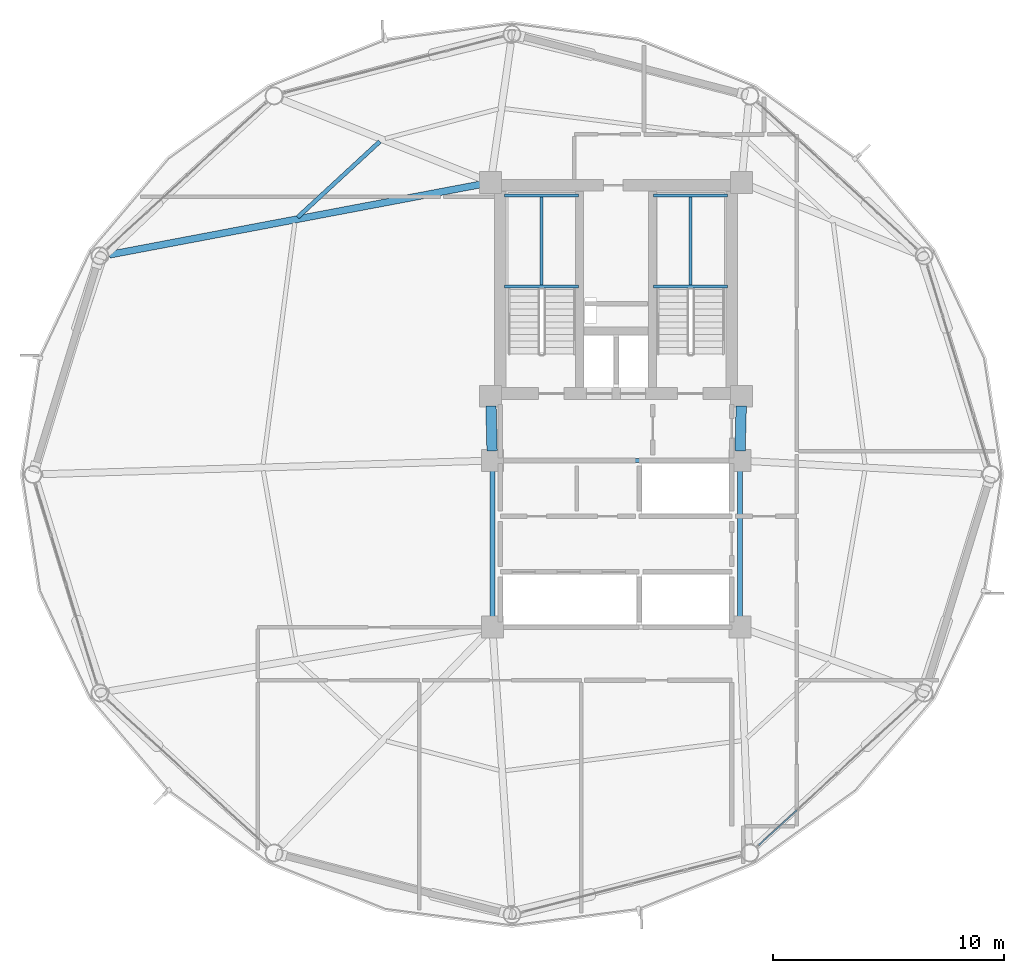
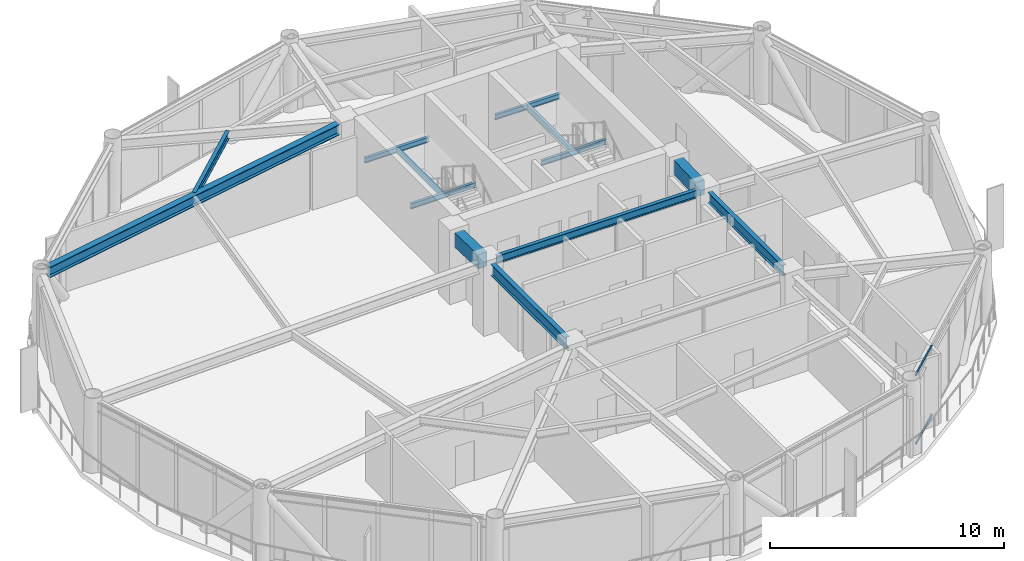
# One storey, part 12 of 26: 13 beams, 2 members, 1 element without a shape of its own.
"""IFC4 building model written with IfcOpenShell, lengths in metres."""

from ifc_helpers import new_model, si_unit, direction, frame, origin, origin_2d, place, context, subcontext, project, spatial, rectangle, hollow_rectangle, i_section, extrude, material, layer, layer_set, material_profile, profile_set, type_object, element, aggregate, save


model = new_model("IFC4")

# Units and contexts
model_context = context("Model", 3, precision=1e-05, world=origin(), true_north=direction((0.0, 1.0)))
body_context = subcontext(model_context, "Body", "Model", "MODEL_VIEW")
ifc_project = project(units=[si_unit("LENGTHUNIT", "METRE"), si_unit("AREAUNIT", "SQUARE_METRE"), si_unit("VOLUMEUNIT", "CUBIC_METRE"), si_unit("PLANEANGLEUNIT", "RADIAN"), si_unit("MASSUNIT", "GRAM", prefix="KILO")], contexts=[model_context])

# Site, building, storey
site_placement = place(None, origin())
site = spatial("IfcSite", under=ifc_project, at=site_placement, CompositionType="ELEMENT")
building_placement = place(site_placement, origin())
building = spatial("IfcBuilding", under=site, at=building_placement, Name="Varnakorn Sky Granary", CompositionType="ELEMENT")
storey_placement = place(building_placement, frame((0.0, 0.0, 153.89990234375)))
storey = spatial("IfcBuildingStorey", under=building, at=storey_placement, Name="L38", CompositionType="ELEMENT", Elevation=153.89990234375)

# Beams
ifc_material_1 = material(Name="Steel S355JR", Category="steel")
ifc_material_profile_1 = material_profile(ifc_material_1, i_section(OverallWidth=0.2099609375, OverallDepth=0.550048828125, WebThickness=0.010986328125, FlangeThickness=0.01708984375, at=origin_2d()), Name="IPE 550")
ifc_profile_set_1 = profile_set([ifc_material_profile_1], Name="Steel S355JR")
beam_type_1 = type_object("IfcBeamType", Name="BM-JST-550", PredefinedType="JOIST", material=ifc_profile_set_1)
beam_1_placement = place(storey_placement, frame((8.35009765625, 0.179931640625, 3.364990234375), z_axis=(0.0, -1.0, 0.0), x_axis=(1.0, 0.0, 0.0)))
element("IfcBeam", 1, at=beam_1_placement, inside=storey, type_object=beam_type_1, Name="Core Spine Framing Beam 4 L38", PredefinedType="JOIST", context=body_context, shape_type="SweptSolid", body=[
    extrude(i_section(OverallWidth=0.2099609375, OverallDepth=0.550048828125, WebThickness=0.010986328125, FlangeThickness=0.01708984375, at=origin_2d()), origin(), (0.0, 0.0, 1.0), 6.35986328125),
])
ifc_material_profile_2 = material_profile(ifc_material_1, i_section(OverallWidth=0.219970703125, OverallDepth=0.60009765625, WebThickness=0.011962890625, FlangeThickness=0.01904296875, at=origin_2d()), Name="IPE 600")
ifc_profile_set_2 = profile_set([ifc_material_profile_2], Name="Steel S355JR")
beam_type_2 = type_object("IfcBeamType", Name="BM-JST-600", PredefinedType="JOIST", material=ifc_profile_set_2)
beam_2_placement = place(storey_placement, frame((-2.35009765625, 0.179931640625, 3.340087890625), z_axis=(0.0, -1.0, 0.0), x_axis=(1.0, 0.0, 0.0)))
element("IfcBeam", 2, at=beam_2_placement, inside=storey, type_object=beam_type_2, Name="Core Spine Framing Beam 3 L38", PredefinedType="JOIST", context=body_context, shape_type="SweptSolid", body=[
    extrude(i_section(OverallWidth=0.219970703125, OverallDepth=0.60009765625, WebThickness=0.011962890625, FlangeThickness=0.01904296875, at=origin_2d()), origin(), (0.0, 0.0, 1.0), 6.35986328125),
])
ifc_material_2 = material(Name="Concrete C60/75", Category="concrete")
ifc_material_profile_3 = material_profile(ifc_material_2, rectangle(XDim=0.449951171875, YDim=0.75, at=origin_2d()), Name="RC 450x750")
ifc_profile_set_3 = profile_set([ifc_material_profile_3], Name="Concrete C60/75")
beam_type_3 = type_object("IfcBeamType", Name="BM-LIN-750", PredefinedType="LINTEL", material=ifc_profile_set_3)
for number, where, z_axis, x_axis, name in (
    (3, (-2.409423828125, 2.960205078125, 3.26513671875), (0.025158763514, -0.999683468213, 0.0), (0.999683468213, 0.025158763514, 0.0), "Core Spine Framing Beam 1 L38"),
    (4, (8.409423828125, 2.960205078125, 3.26513671875), (-0.025158763514, -0.999683468213, 0.0), (0.999683468213, -0.025158763514, 0.0), "Core Spine Framing Beam 2 L38"),
):
    element("IfcBeam", number, at=place(storey_placement, frame(where, z_axis=z_axis, x_axis=x_axis)), inside=storey, type_object=beam_type_3, Name=name, PredefinedType="LINTEL", context=body_context, shape_type="SweptSolid", body=[
        extrude(rectangle(XDim=0.449951171875, YDim=0.75, at=origin_2d()), origin(), (0.0, 0.0, 1.0), 1.94091796875),
    ])
ifc_material_profile_4 = material_profile(ifc_material_1, i_section(OverallWidth=0.135009765625, OverallDepth=0.27001953125, WebThickness=0.006591796875, FlangeThickness=0.01025390625, at=origin_2d()), Name="IPE 270")
ifc_profile_set_4 = profile_set([ifc_material_profile_4], Name="Steel S355JR")
beam_type_4 = type_object("IfcBeamType", Name="BM-LND-270", PredefinedType="BEAM", material=ifc_profile_set_4)
for number, where, z_axis, x_axis, name in (
    (5, (-1.820068359375, 8.1201171875, 1.614990234375), (1.0, 0.0, 0.0), (0.0, 1.0, 0.0), "Stair ST-1 Landing Trimmer Beam A L38-1"),
    (6, (-1.820068359375, 12.06005859375, 1.614990234375), (1.0, 0.0, 0.0), (0.0, 1.0, 0.0), "Stair ST-1 Landing Trimmer Beam B L38-1"),
):
    element("IfcBeam", number, at=place(storey_placement, frame(where, z_axis=z_axis, x_axis=x_axis)), inside=storey, type_object=beam_type_4, Name=name, PredefinedType="BEAM", context=body_context, shape_type="SweptSolid", body=[
        extrude(i_section(OverallWidth=0.135009765625, OverallDepth=0.27001953125, WebThickness=0.006591796875, FlangeThickness=0.01025390625, at=origin_2d()), origin(), (0.0, 0.0, 1.0), 3.199951171875),
    ])
beam_3_placement = place(storey_placement, frame((-0.219970703125, 8.1201171875, 1.614990234375), z_axis=(0.0, 1.0, 0.0), x_axis=(-1.0, 0.0, 0.0)))
element("IfcBeam", 7, at=beam_3_placement, inside=storey, type_object=beam_type_4, Name="Stair ST-1 Landing Cross Beam C L38-1", PredefinedType="BEAM", context=body_context, shape_type="SweptSolid", body=[
    extrude(i_section(OverallWidth=0.135009765625, OverallDepth=0.27001953125, WebThickness=0.006591796875, FlangeThickness=0.01025390625, at=origin_2d()), origin(), (0.0, 0.0, 1.0), 3.93994140625),
])
for number, where, z_axis, x_axis, name in (
    (8, (4.6201171875, 8.1201171875, 1.614990234375), (1.0, 0.0, 0.0), (0.0, 1.0, 0.0), "Stair ST-2 Landing Trimmer Beam A L38-1"),
    (9, (4.6201171875, 12.06005859375, 1.614990234375), (1.0, 0.0, 0.0), (0.0, 1.0, 0.0), "Stair ST-2 Landing Trimmer Beam B L38-1"),
):
    element("IfcBeam", number, at=place(storey_placement, frame(where, z_axis=z_axis, x_axis=x_axis)), inside=storey, type_object=beam_type_4, Name=name, PredefinedType="BEAM", context=body_context, shape_type="SweptSolid", body=[
        extrude(i_section(OverallWidth=0.135009765625, OverallDepth=0.27001953125, WebThickness=0.006591796875, FlangeThickness=0.01025390625, at=origin_2d()), origin(), (0.0, 0.0, 1.0), 3.199951171875),
    ])
beam_4_placement = place(storey_placement, frame((6.219970703125, 8.1201171875, 1.614990234375), z_axis=(0.0, 1.0, 0.0), x_axis=(-1.0, 0.0, 0.0)))
element("IfcBeam", 10, at=beam_4_placement, inside=storey, type_object=beam_type_4, Name="Stair ST-2 Landing Cross Beam C L38-1", PredefinedType="BEAM", context=body_context, shape_type="SweptSolid", body=[
    extrude(i_section(OverallWidth=0.135009765625, OverallDepth=0.27001953125, WebThickness=0.006591796875, FlangeThickness=0.01025390625, at=origin_2d()), origin(), (0.0, 0.0, 1.0), 3.93994140625),
])
ifc_material_profile_5 = material_profile(ifc_material_1, i_section(OverallWidth=0.300048828125, OverallDepth=0.550048828125, WebThickness=0.014892578125, FlangeThickness=0.029052734375, at=origin_2d()), Name="HE 550 B")
ifc_profile_set_5 = profile_set([ifc_material_profile_5], Name="Steel S355JR")
beam_type_5 = type_object("IfcBeamType", Name="BM-RAD-Z3", PredefinedType="BEAM", material=ifc_profile_set_5)
beam_5_placement = place(storey_placement, frame((-2.832763671875, 12.541748046875, 3.364990234375), z_axis=(-0.982529926318, -0.186104658431, 0.0), x_axis=(0.186104658431, -0.982529926318, 0.0)))
element("IfcBeam", 11, at=beam_5_placement, inside=storey, type_object=beam_type_5, Name="Radial Floor Girder RG06 L38", PredefinedType="BEAM", context=body_context, shape_type="SweptSolid", body=[
    extrude(i_section(OverallWidth=0.300048828125, OverallDepth=0.550048828125, WebThickness=0.014892578125, FlangeThickness=0.029052734375, at=origin_2d()), origin(), (0.0, 0.0, 1.0), 16.360107421875),
])
ifc_material_profile_6 = material_profile(ifc_material_1, i_section(OverallWidth=0.179931640625, OverallDepth=0.39990234375, WebThickness=0.008544921875, FlangeThickness=0.013427734375, at=origin_2d()), Name="IPE 400")
ifc_profile_set_6 = profile_set([ifc_material_profile_6], Name="Steel S355JR")
beam_type_6 = type_object("IfcBeamType", Name="BM-SEC-Z3", PredefinedType="BEAM", material=ifc_profile_set_6)
beam_6_placement = place(storey_placement, frame((-7.216796875, 14.390869140625, 3.440185546875), z_axis=(-0.734865442806, -0.67821293188, 0.0), x_axis=(0.67821293188, -0.734865442806, 0.0)))
element("IfcBeam", 12, at=beam_6_placement, inside=storey, type_object=beam_type_6, Name="Secondary Floor Chord Beam MSB05 L38", PredefinedType="BEAM", context=body_context, shape_type="SweptSolid", body=[
    extrude(i_section(OverallWidth=0.179931640625, OverallDepth=0.39990234375, WebThickness=0.008544921875, FlangeThickness=0.013427734375, at=origin_2d()), origin(), (0.0, 0.0, 1.0), 4.830810546875),
])
beam_7_placement = place(storey_placement, frame((-1.929931640625, 0.60009765625, 3.440185546875), z_axis=(1.0, 0.0, 0.0), x_axis=(0.0, 1.0, 0.0)))
element("IfcBeam", 13, at=beam_7_placement, inside=storey, type_object=beam_type_6, Name="Core Spine Framing Beam 5 L38", PredefinedType="BEAM", context=body_context, shape_type="SweptSolid", body=[
    extrude(i_section(OverallWidth=0.179931640625, OverallDepth=0.39990234375, WebThickness=0.008544921875, FlangeThickness=0.013427734375, at=origin_2d()), origin(), (0.0, 0.0, 1.0), 9.85986328125),
])

# Curtain wall, members
ifc_material_3 = material(Name="Anodised Bronze Aluminium Alloy 6063-T6", Category="aluminium")
ifc_layer = layer(ifc_material_3, 0.179931640625, Name="Anodised Bronze Aluminium Alloy 6063-T6")
ifc_layer_set = layer_set([ifc_layer], Name="Anodised Bronze Aluminium Alloy 6063-T6")
curtain_wall_type = type_object("IfcCurtainWallType", Name="CW-FRM-2", PredefinedType="USERDEFINED", material=ifc_layer_set)
curtain_wall_placement = place(storey_placement, origin())
curtain_wall = element("IfcCurtainWall", 14, at=curtain_wall_placement, inside=storey, type_object=curtain_wall_type, Name="Unitised Curtain Wall CW4 CW-L38-B11", ObjectType="CURTAIN WALL", PredefinedType="USERDEFINED")
ifc_material_profile_7 = material_profile(ifc_material_3, hollow_rectangle(XDim=0.06494140625, YDim=0.1201171875, WallThickness=0.00341796875, at=origin_2d()), Name="ALU TRAN 65x120")
ifc_profile_set_7 = profile_set([ifc_material_profile_7], Name="Anodised Bronze Aluminium Alloy 6063-T6")
member_type = type_object("IfcMemberType", Name="CW-FRM-2-TRAN", PredefinedType="USERDEFINED", material=ifc_profile_set_7)
member_1_placement = place(storey_placement, frame((10.81103515625, -14.516845703125, 0.03271484375), z_axis=(-0.736495410887, -0.676442539867, 0.0), x_axis=(0.676442539867, -0.736495410887, 0.0)))
member_1 = element("IfcMember", 15, at=member_1_placement, type_object=member_type, Name="CW4 transom 4.1", ObjectType="TRANSOM", PredefinedType="USERDEFINED", context=body_context, shape_type="SweptSolid", body=[
    extrude(hollow_rectangle(XDim=0.06494140625, YDim=0.1201171875, WallThickness=0.00341796875, at=origin_2d()), origin(), (0.0, 0.0, 1.0), 2.23193359375),
])
member_2_placement = place(storey_placement, frame((10.81103515625, -14.516845703125, 3.607666015625), z_axis=(-0.736495410887, -0.676442539867, 0.0), x_axis=(0.676442539867, -0.736495410887, 0.0)))
member_2 = element("IfcMember", 16, at=member_2_placement, type_object=member_type, Name="CW4 transom 4.2", ObjectType="TRANSOM", PredefinedType="USERDEFINED", context=body_context, shape_type="SweptSolid", body=[
    extrude(hollow_rectangle(XDim=0.06494140625, YDim=0.1201171875, WallThickness=0.00341796875, at=origin_2d()), origin(), (0.0, 0.0, 1.0), 2.23193359375),
])
aggregate(curtain_wall, [member_1, member_2])

save(model, "model.ifc")
